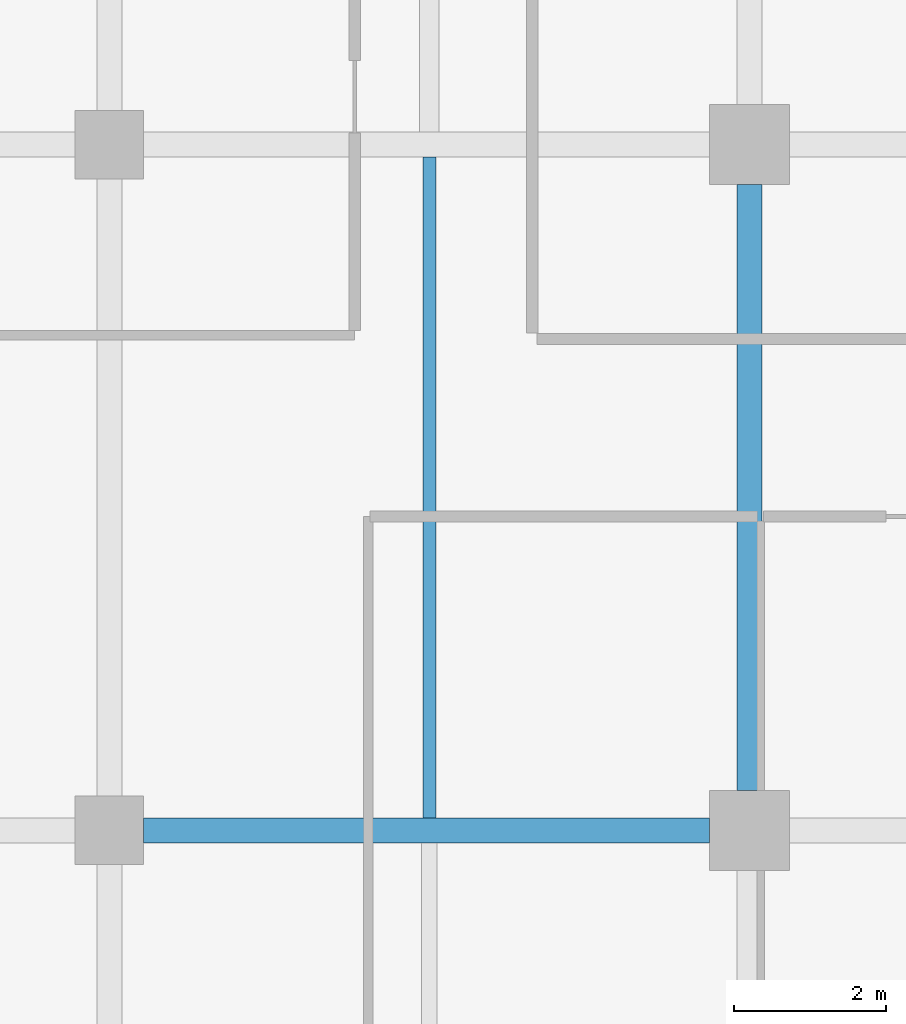
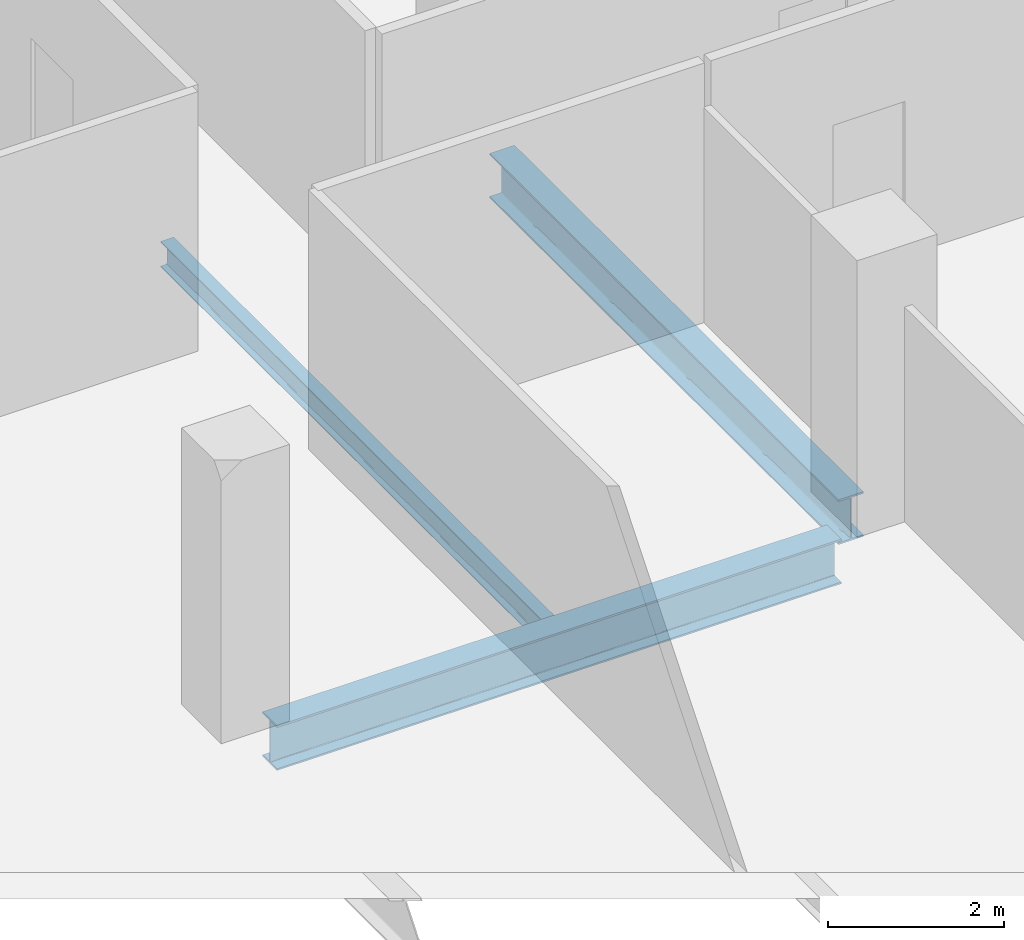
# One storey, part 6 of 39: 3 beams.
"""IFC4 building model written with IfcOpenShell, lengths in metres."""

import ifcopenshell
import ifcopenshell.guid

model = None  # the IFC model being written
_history = None  # IfcOwnerHistory: only IFC2X3 demands one
_inside = {}  # id of a spatial element -> (the spatial element, [elements in it])
_under = {}  # id of a project, library or spatial element -> (it, [spatial elements below it])
_declared = {}  # id of a project -> (the project, [libraries it declares])
_typed = {}  # id of a type object -> (the type object, [elements of that type])
_made_of = {}  # id of a material, layer set ... -> (it, [elements and type objects made of it])


def new_model(schema):
    """Start an empty IFC model of exactly this schema.

    Asked for "IFC4X3", IfcOpenShell would pick the latest addendum, in which some entities
    have other attributes; the version numbers below select the first issue.
    IFC2X3 requires an IfcOwnerHistory on every rooted entity: one is made here for all.
    """
    global model, _history
    if schema == "IFC4X3":
        model = ifcopenshell.file(schema_version=(4, 3, 0, 0))
    else:
        model = ifcopenshell.file(schema=schema)
    _inside.clear()
    _under.clear()
    _declared.clear()
    _typed.clear()
    _made_of.clear()
    _history = None
    if model.schema == "IFC2X3":
        org = make("IfcOrganization", Name="unknown")
        user = make(
            "IfcPersonAndOrganization",
            ThePerson=make("IfcPerson", FamilyName="unknown"),
            TheOrganization=org,
        )
        app = make(
            "IfcApplication",
            ApplicationDeveloper=org,
            Version="unknown",
            ApplicationFullName="unknown",
            ApplicationIdentifier="unknown",
        )
        _history = make(
            "IfcOwnerHistory",
            OwningUser=user,
            OwningApplication=app,
            ChangeAction="ADDED",
            CreationDate=0,
        )
    return model


def make(cls, **values):
    """One entity of the class cls with the attributes given. An attribute that is None is left unset."""
    return model.create_entity(
        cls, **{name: value for name, value in values.items() if value is not None}
    )


def rooted(cls, **values):
    """An entity with a GlobalId (a new one), such as an element, a storey or a relation."""
    return make(cls, GlobalId=ifcopenshell.guid.new(), OwnerHistory=_history, **values)


def si_unit(unit_type, name, prefix=None):
    """IfcSIUnit, for example si_unit("LENGTHUNIT", "METRE", prefix="MILLI")."""
    return make("IfcSIUnit", UnitType=unit_type, Prefix=prefix, Name=name)


def assignment(units):
    """IfcUnitAssignment: the units of a project."""
    return None if units is None else make("IfcUnitAssignment", Units=units)


def point(xyz):
    """IfcCartesianPoint."""
    return None if xyz is None else make("IfcCartesianPoint", Coordinates=xyz)


def direction(xyz):
    """IfcDirection."""
    return None if xyz is None else make("IfcDirection", DirectionRatios=xyz)


def frame(location, z_axis=None, x_axis=None):
    """IfcAxis2Placement3D, a coordinate frame: its origin and axes. An axis left out is left unset."""
    return make(
        "IfcAxis2Placement3D",
        Location=point(location),
        Axis=direction(z_axis),
        RefDirection=direction(x_axis),
    )


def frame_2d(location, x_axis=None):
    """IfcAxis2Placement2D, a coordinate frame in the plane: its origin and x axis."""
    return make(
        "IfcAxis2Placement2D", Location=point(location), RefDirection=direction(x_axis)
    )


def origin():
    """The frame at (0, 0, 0) with its axes left unset."""
    return frame((0.0, 0.0, 0.0))


def origin_2d():
    """The frame at (0, 0) in the plane with its x axis left unset."""
    return frame_2d((0.0, 0.0))


def place(relative_to, where):
    """IfcLocalPlacement: puts the frame where relative to a parent placement (None: the world)."""
    return make(
        "IfcLocalPlacement", PlacementRelTo=relative_to, RelativePlacement=where
    )


def context(
    kind, dimensions, precision=None, world=None, true_north=None, identifier=None
):
    """IfcGeometricRepresentationContext, for example the 3D "Model" context."""
    return make(
        "IfcGeometricRepresentationContext",
        ContextIdentifier=identifier,
        ContextType=kind,
        CoordinateSpaceDimension=dimensions,
        Precision=precision,
        WorldCoordinateSystem=world,
        TrueNorth=true_north,
    )


def subcontext(parent, identifier, kind, view, scale=None):
    """IfcGeometricRepresentationSubContext, for example "Body" below "Model"."""
    return make(
        "IfcGeometricRepresentationSubContext",
        ContextIdentifier=identifier,
        ContextType=kind,
        ParentContext=parent,
        TargetScale=scale,
        TargetView=view,
    )


def project(units=None, contexts=None):
    """IfcProject with its units and contexts."""
    return rooted(
        "IfcProject",
        Name="project",
        RepresentationContexts=contexts,
        UnitsInContext=assignment(units),
    )


def spatial(cls, under=None, at=None, **own):
    """A site, building, storey or space (cls), placed at a placement, below another one or the project."""
    s = rooted(cls, ObjectPlacement=at, **own)
    if under is not None:
        _under.setdefault(under.id(), (under, []))[1].append(s)
    return s


def profile(cls, at=None, kind="AREA", **sizes):
    """A parametric profile (cls). Its sizes go by their IFC names, for example OverallWidth=200.0."""
    return make(cls, ProfileType=kind, Position=at, **sizes)


def i_section(**sizes):
    """IfcIShapeProfileDef."""
    return profile("IfcIShapeProfileDef", **sizes)


def extrude(swept, where, along, depth):
    """IfcExtrudedAreaSolid: the profile swept, set in the frame where, extruded along a direction by depth."""
    return make(
        "IfcExtrudedAreaSolid",
        SweptArea=swept,
        Position=where,
        ExtrudedDirection=direction(along),
        Depth=depth,
    )


def shape(context_of_items, identifier, shape_type, items):
    """IfcShapeRepresentation: the items that make up one representation, for example the "Body"."""
    return make(
        "IfcShapeRepresentation",
        ContextOfItems=context_of_items,
        RepresentationIdentifier=identifier,
        RepresentationType=shape_type,
        Items=items,
    )


def material(Name=None, Category=None):
    """IfcMaterial."""
    return make("IfcMaterial", Name=Name, Category=Category)


def material_profile(
    of_material, cross_section, Name=None, Category=None, Priority=None
):
    """IfcMaterialProfile: a cross section and its material."""
    return make(
        "IfcMaterialProfile",
        Name=Name,
        Material=of_material,
        Profile=cross_section,
        Priority=Priority,
        Category=Category,
    )


def profile_set(profiles, Name=None, composite=None):
    """IfcMaterialProfileSet."""
    return make(
        "IfcMaterialProfileSet",
        Name=Name,
        MaterialProfiles=profiles,
        CompositeProfile=composite,
    )


def made_of(thing, what):
    """Note that an element or type object is made of a material, layer set ...; save() writes the relation."""
    if what is not None:
        _made_of.setdefault(what.id(), (what, []))[1].append(thing)
    return thing


def type_object(cls, material=None, **own):
    """A type object (cls), such as IfcWallType, which elements share."""
    return made_of(rooted(cls, **own), material)


def element(
    cls,
    number,
    at=None,
    inside=None,
    cuts=None,
    type_object=None,
    material=None,
    context=None,
    identifier="Body",
    shape_type=None,
    held_by="IfcProductDefinitionShape",
    body=None,
    shapes=None,
    **own,
):
    """One element of the class cls, such as IfcWall. Its Tag is "e" and its number.

    at: its placement. inside: the storey or other place that contains it. cuts: it is an
    opening in that element (IfcRelVoidsElement). A single representation is given by context,
    identifier, shape_type and body (its items); several are given by shapes. held_by: the class
    of the entity that holds the representations. save() writes the other relations.
    """
    e = rooted(cls, Tag="e%d" % number, ObjectPlacement=at, **own)
    if body is not None:
        shapes = [shape(context, identifier, shape_type, body)]
    if shapes is not None:
        e.Representation = make(held_by, Representations=shapes)
    if inside is not None:
        _inside.setdefault(inside.id(), (inside, []))[1].append(e)
    if cuts is not None:
        rooted(
            "IfcRelVoidsElement", RelatingBuildingElement=cuts, RelatedOpeningElement=e
        )
    if type_object is not None:
        _typed.setdefault(type_object.id(), (type_object, []))[1].append(e)
    return made_of(e, material)


def aggregate(whole, parts):
    """IfcRelAggregates: a whole, such as a stair, and the parts it consists of."""
    return rooted("IfcRelAggregates", RelatingObject=whole, RelatedObjects=parts)


def save(model, path):
    """Write the relations noted so far, then the file.

    IfcRelAggregates (storeys below a building ...), IfcRelContainedInSpatialStructure (elements
    in a storey), IfcRelDefinesByType, IfcRelAssociatesMaterial and IfcRelDeclares: one each for
    every whole, place, type object, material and project.
    """
    for whole, parts in _under.values():
        aggregate(whole, parts)
    for where, things in _inside.values():
        rooted(
            "IfcRelContainedInSpatialStructure",
            RelatedElements=things,
            RelatingStructure=where,
        )
    for kind, things in _typed.values():
        rooted("IfcRelDefinesByType", RelatedObjects=things, RelatingType=kind)
    for what, things in _made_of.values():
        rooted("IfcRelAssociatesMaterial", RelatedObjects=things, RelatingMaterial=what)
    for by, libraries in _declared.values():
        rooted("IfcRelDeclares", RelatingContext=by, RelatedDefinitions=libraries)
    model.write(path)


model = new_model("IFC4")

# Units and contexts
model_context = context("Model", 3, precision=1e-05, world=origin(), true_north=direction((0.0, 1.0)))
body_context = subcontext(model_context, "Body", "Model", "MODEL_VIEW")
ifc_project = project(units=[si_unit("LENGTHUNIT", "METRE"), si_unit("AREAUNIT", "SQUARE_METRE"), si_unit("VOLUMEUNIT", "CUBIC_METRE"), si_unit("PLANEANGLEUNIT", "RADIAN"), si_unit("MASSUNIT", "GRAM", prefix="KILO")], contexts=[model_context])

# Site, building, storey
site_placement = place(None, origin())
site = spatial("IfcSite", under=ifc_project, at=site_placement, CompositionType="ELEMENT")
building_placement = place(site_placement, origin())
building = spatial("IfcBuilding", under=site, at=building_placement, Name="Maruvema Waterfront Hotel and Observation Tower", CompositionType="ELEMENT")
storey_placement = place(building_placement, frame((0.0, 0.0, 69.300048828125)))
storey = spatial("IfcBuildingStorey", under=building, at=storey_placement, Name="L16", CompositionType="ELEMENT", Elevation=69.300048828125)

# Beams
ifc_material_1 = material(Name="Steel ASTM A572 Grade 50", Category="steel")
ifc_material_profile_1 = material_profile(ifc_material_1, i_section(OverallWidth=0.326904296875, OverallDepth=0.6220703125, WebThickness=0.015380859375, FlangeThickness=0.0244140625, FilletRadius=0.01806640625, at=origin_2d()), Name="W610x195.0")
ifc_profile_set_1 = profile_set([ifc_material_profile_1], Name="Steel ASTM A572 Grade 50")
beam_type_1 = type_object("IfcBeamType", Name="Primary Floor Girder W610x195.0", PredefinedType="BEAM", material=ifc_profile_set_1)
beam_1_placement = place(storey_placement, frame((17.25, 9.0, -0.551025390625), z_axis=(1.0, 0.0, 0.0), x_axis=(0.0, 1.0, 0.0)))
element("IfcBeam", 1, at=beam_1_placement, inside=storey, type_object=beam_type_1, Name="L16 Floor Girder EW-07", PredefinedType="BEAM", context=body_context, shape_type="SweptSolid", body=[
    extrude(i_section(OverallWidth=0.326904296875, OverallDepth=0.6220703125, WebThickness=0.015380859375, FlangeThickness=0.0244140625, FilletRadius=0.01806640625, at=origin_2d()), origin(), (0.0, 0.0, 1.0), 7.425048828125),
])
beam_2_placement = place(storey_placement, frame((25.199951171875, 9.52490234375, -0.551025390625), z_axis=(0.0, 1.0, 0.0), x_axis=(-1.0, 0.0, 0.0)))
element("IfcBeam", 2, at=beam_2_placement, inside=storey, type_object=beam_type_1, Name="L16 Floor Girder NS-12", PredefinedType="BEAM", context=body_context, shape_type="SweptSolid", body=[
    extrude(i_section(OverallWidth=0.326904296875, OverallDepth=0.6220703125, WebThickness=0.015380859375, FlangeThickness=0.0244140625, FilletRadius=0.01806640625, at=origin_2d()), origin(), (0.0, 0.0, 1.0), 7.9501953125),
])
ifc_material_2 = material(Name="Steel ASTM A572 Grade 50", Category="steel")
ifc_material_profile_2 = material_profile(ifc_material_2, i_section(OverallWidth=0.1708984375, OverallDepth=0.35498046875, WebThickness=0.007080078125, FlangeThickness=0.01171875, FilletRadius=0.014892578125, at=origin_2d()), Name="W360x51.0")
ifc_profile_set_2 = profile_set([ifc_material_profile_2], Name="Steel ASTM A572 Grade 50")
beam_type_2 = type_object("IfcBeamType", Name="Secondary Floor Joist W360x51.0", PredefinedType="JOIST", material=ifc_profile_set_2)
beam_3_placement = place(storey_placement, frame((21.0, 9.16357421875, -0.41748046875), z_axis=(0.0, 1.0, 0.0), x_axis=(-1.0, 0.0, 0.0)))
element("IfcBeam", 3, at=beam_3_placement, inside=storey, type_object=beam_type_2, Name="L16 Secondary Floor Joist JS-06", PredefinedType="JOIST", context=body_context, shape_type="SweptSolid", body=[
    extrude(i_section(OverallWidth=0.1708984375, OverallDepth=0.35498046875, WebThickness=0.007080078125, FlangeThickness=0.01171875, FilletRadius=0.014892578125, at=origin_2d()), origin(), (0.0, 0.0, 1.0), 8.6728515625),
])

save(model, "model.ifc")
